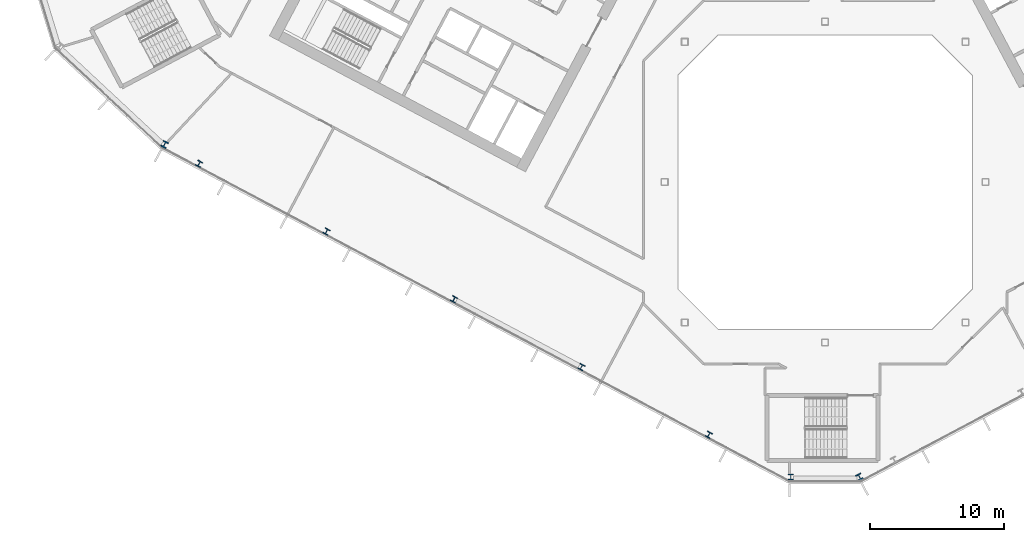
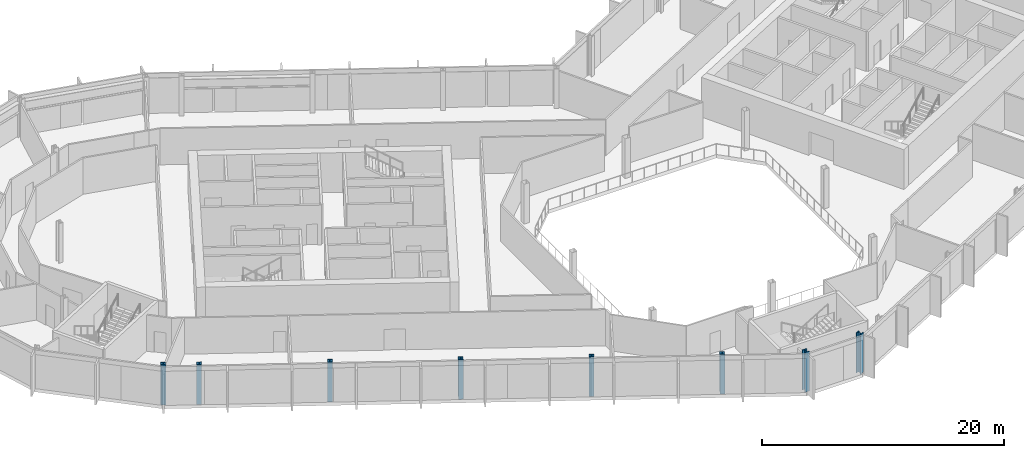
# One storey, part 1 of 28: 8 columns.
"""IFC4 building model written with IfcOpenShell, lengths in metres."""

from ifc_helpers import new_model, si_unit, direction, frame, origin, origin_2d, place, context, subcontext, project, spatial, i_section, extrude, material, material_profile, profile_set, type_object, element, save


model = new_model("IFC4")

# Units and contexts
model_context = context("Model", 3, precision=1e-05, world=origin(), true_north=direction((0.0, 1.0)))
body_context = subcontext(model_context, "Body", "Model", "MODEL_VIEW")
ifc_project = project(units=[si_unit("LENGTHUNIT", "METRE"), si_unit("AREAUNIT", "SQUARE_METRE"), si_unit("VOLUMEUNIT", "CUBIC_METRE"), si_unit("PLANEANGLEUNIT", "RADIAN"), si_unit("MASSUNIT", "GRAM", prefix="KILO")], contexts=[model_context])

# Site, building, storey
site_placement = place(None, origin())
site = spatial("IfcSite", under=ifc_project, at=site_placement, CompositionType="ELEMENT")
building_placement = place(site_placement, origin())
building = spatial("IfcBuilding", under=site, at=building_placement, Name="Cormorant Relay Tower", CompositionType="ELEMENT")
storey_placement = place(building_placement, frame((0.0, 0.0, 150.199951171875)))
storey = spatial("IfcBuildingStorey", under=building, at=storey_placement, Name="L31", CompositionType="ELEMENT", Elevation=150.199951171875)

# Columns
ifc_material_1 = material(Name="Steel ASTM A992 (Fy 345 MPa)", Category="steel")
ifc_material_profile_1 = material_profile(ifc_material_1, i_section(OverallWidth=0.41162109375, OverallDepth=0.434326171875, WebThickness=0.035888671875, FlangeThickness=0.057373046875, FilletRadius=0.01513671875, at=origin_2d()), Name="W360x463")
ifc_profile_set_1 = profile_set([ifc_material_profile_1], Name="Steel ASTM A992 (Fy 345 MPa)")
column_type_1 = type_object("IfcColumnType", Name="Column W360x463", PredefinedType="COLUMN", material=ifc_profile_set_1)
for number, where, z_axis, x_axis, name in (
    (1, (-8.696044921875, -18.910888671875, 0.0), (0.0, 0.0, 1.0), (0.882947592859, -0.469471562786, 0.0), "Column L31-004"),
    (2, (-18.23193359375, -13.841064453125, 0.0), (0.0, 0.0, 1.0), (0.882947592859, -0.469471562786, 0.0), "Column L31-006"),
    (3, (-27.76806640625, -8.77001953125, 0.0), (0.0, 0.0, 1.0), (0.882947592859, -0.469471562786, 0.0), "Column L31-011"),
    (4, (-37.303955078125, -3.699951171875, 0.0), (0.0, 0.0, 1.0), (0.882947592859, -0.469471562786, 0.0), "Column L31-013"),
    (5, (-46.839111328125, 1.3701171875, 0.0), (0.0, 0.0, 1.0), (0.882947592859, -0.469471562786, 0.0), "Column L31-018"),
):
    element("IfcColumn", number, at=place(storey_placement, frame(where, z_axis=z_axis, x_axis=x_axis)), inside=storey, type_object=column_type_1, Name=name, PredefinedType="COLUMN", context=body_context, shape_type="SweptSolid", body=[
        extrude(i_section(OverallWidth=0.41162109375, OverallDepth=0.434326171875, WebThickness=0.035888671875, FlangeThickness=0.057373046875, FilletRadius=0.01513671875, at=origin_2d()), origin(), (0.0, 0.0, 1.0), 4.0),
    ])
ifc_material_2 = material(Name="Steel ASTM A992 (Fy 345 MPa)", Category="steel")
ifc_material_profile_2 = material_profile(ifc_material_2, i_section(OverallWidth=0.42431640625, OverallDepth=0.47509765625, WebThickness=0.0478515625, FlangeThickness=0.0771484375, FilletRadius=0.014892578125, at=origin_2d()), Name="W360x634")
ifc_profile_set_2 = profile_set([ifc_material_profile_2], Name="Steel ASTM A992 (Fy 345 MPa)")
column_type_2 = type_object("IfcColumnType", Name="Column W360x634", PredefinedType="COLUMN", material=ifc_profile_set_2)
for number, where, z_axis, x_axis, name in (
    (6, (-2.571044921875, -22.06494140625, 0.0), (0.0, 0.0, 1.0), (1.0, 0.0, 0.0), "Column L31-001"),
    (7, (2.571044921875, -22.06494140625, 0.0), (0.0, 0.0, 1.0), (0.882947592859, 0.469471562786, 0.0), "Column L31-002"),
    (8, (-49.423095703125, 2.820068359375, 0.0), (0.0, 0.0, 1.0), (0.882947592859, -0.469471562786, 0.0), "Column L31-019"),
):
    element("IfcColumn", number, at=place(storey_placement, frame(where, z_axis=z_axis, x_axis=x_axis)), inside=storey, type_object=column_type_2, Name=name, PredefinedType="COLUMN", context=body_context, shape_type="SweptSolid", body=[
        extrude(i_section(OverallWidth=0.42431640625, OverallDepth=0.47509765625, WebThickness=0.0478515625, FlangeThickness=0.0771484375, FilletRadius=0.014892578125, at=origin_2d()), origin(), (0.0, 0.0, 1.0), 4.0),
    ])

save(model, "model.ifc")
